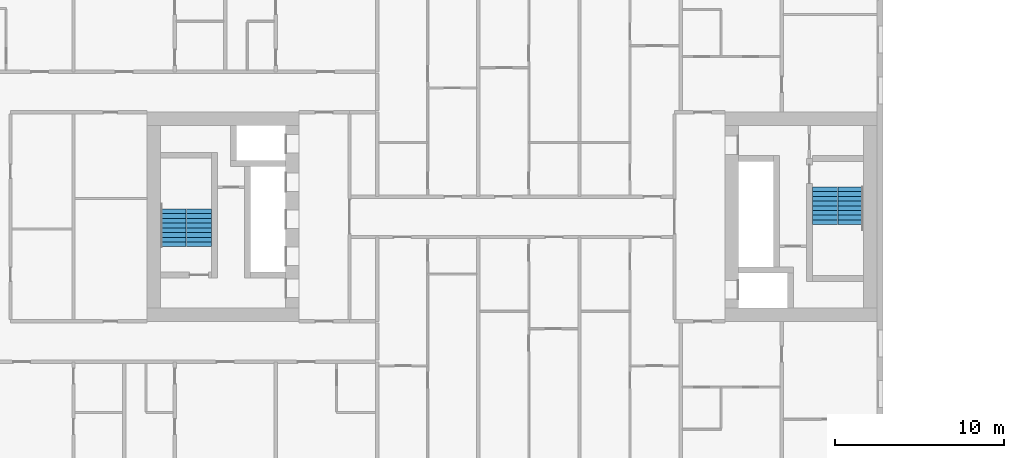
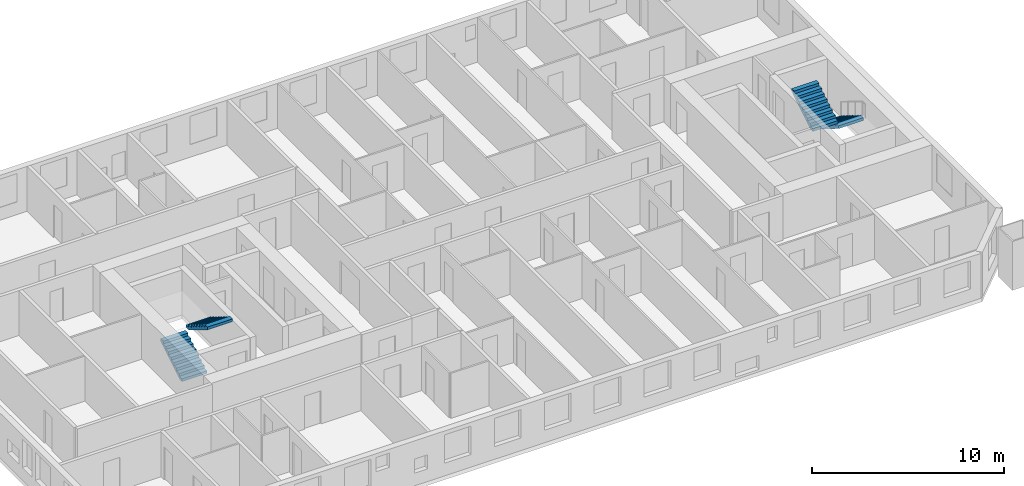
# One storey, part 16 of 17: 4 stair flights, 2 elements without a shape of their own.
"""IFC4 building model written with IfcOpenShell, lengths in metres."""

from ifc_helpers import new_model, si_unit, direction, frame, origin, place, context, subcontext, project, spatial, faceted_brep, material, type_object, element, aggregate, save


model = new_model("IFC4")

# Units and contexts
model_context = context("Model", 3, precision=1e-05, world=origin(), true_north=direction((0.0, 1.0)))
body_context = subcontext(model_context, "Body", "Model", "MODEL_VIEW")
ifc_project = project(units=[si_unit("LENGTHUNIT", "METRE"), si_unit("AREAUNIT", "SQUARE_METRE"), si_unit("VOLUMEUNIT", "CUBIC_METRE"), si_unit("PLANEANGLEUNIT", "RADIAN"), si_unit("MASSUNIT", "GRAM", prefix="KILO")], contexts=[model_context])

# Site, building, storey
site_placement = place(None, origin())
site = spatial("IfcSite", under=ifc_project, at=site_placement, CompositionType="ELEMENT")
building_placement = place(site_placement, origin())
building = spatial("IfcBuilding", under=site, at=building_placement, Name="Tuart Gate Housing", CompositionType="ELEMENT")
storey_placement = place(building_placement, frame((0.0, 0.0, 53.60009765625)))
storey = spatial("IfcBuildingStorey", under=building, at=storey_placement, Name="L14", CompositionType="ELEMENT", Elevation=53.60009765625)

# Stair, stair flights
ifc_material_1 = material(Name="Concrete C40", Category="concrete")
stair_type = type_object("IfcStairType", Name="Core stair 1500", PredefinedType="HALF_TURN_STAIR", material=ifc_material_1)
stair_1_placement = place(storey_placement, origin())
stair_1 = element("IfcStair", 1, at=stair_1_placement, inside=storey, type_object=stair_type, Name="Stair SA1", PredefinedType="HALF_TURN_STAIR")
ifc_material_2 = material(Name="Concrete C40", Category="concrete")
stair_flight_type = type_object("IfcStairFlightType", Name="Stair flight 1500, 9 risers 172 x 280", PredefinedType="STRAIGHT", material=ifc_material_2)
stair_flight_1_placement = place(storey_placement, frame((74.090087890625, 71.77490234375, 0.0), z_axis=(0.0, 0.0, 1.0), x_axis=(0.0, -1.0, 0.0)))
stair_flight_1 = element("IfcStairFlight", 2, at=stair_flight_1_placement, type_object=stair_flight_type, Name="SA1 flight 1", NumberOfRisers=9, NumberOfTreads=8, PredefinedType="STRAIGHT", RiserHeight=0.172222222, TreadLength=0.28, context=body_context, shape_type="Brep", body=[
    faceted_brep([(0.0, 0.75, 0.0), (0.0, 0.75, 0.172119140625), (0.280029296875, 0.75, 0.172119140625), (0.280029296875, 0.75, 0.344482421875), (0.56005859375, 0.75, 0.344482421875), (0.56005859375, 0.75, 0.5166015625), (0.840087890625, 0.75, 0.5166015625), (0.840087890625, 0.75, 0.68896484375), (1.1201171875, 0.75, 0.68896484375), (1.1201171875, 0.75, 0.861083984375), (1.39990234375, 0.75, 0.861083984375), (1.39990234375, 0.75, 1.033447265625), (1.679931640625, 0.75, 1.033447265625), (1.679931640625, 0.75, 1.20556640625), (1.9599609375, 0.75, 1.20556640625), (1.9599609375, 0.75, 1.377685546875), (2.239990234375, 0.75, 1.377685546875), (2.239990234375, 0.75, 1.201904296875), (0.2861328125, 0.75, 0.0), (0.2861328125, -0.75, 0.0), (2.239990234375, -0.75, 1.201904296875), (2.239990234375, -0.75, 1.377685546875), (1.9599609375, -0.75, 1.377685546875), (1.9599609375, -0.75, 1.20556640625), (1.679931640625, -0.75, 1.20556640625), (1.679931640625, -0.75, 1.033447265625), (1.39990234375, -0.75, 1.033447265625), (1.39990234375, -0.75, 0.861083984375), (1.1201171875, -0.75, 0.861083984375), (1.1201171875, -0.75, 0.68896484375), (0.840087890625, -0.75, 0.68896484375), (0.840087890625, -0.75, 0.5166015625), (0.56005859375, -0.75, 0.5166015625), (0.56005859375, -0.75, 0.344482421875), (0.280029296875, -0.75, 0.344482421875), (0.280029296875, -0.75, 0.172119140625), (0.0, -0.75, 0.172119140625), (0.0, -0.75, 0.0), (2.239990234375, 0.0, 1.201904296875), (0.2861328125, 0.0, 0.0), (2.239990234375, 0.0, 1.377685546875), (1.9599609375, 0.0, 1.377685546875), (1.9599609375, 0.0, 1.20556640625), (1.679931640625, 0.0, 1.20556640625), (1.679931640625, 0.0, 1.033447265625), (1.39990234375, 0.0, 1.033447265625), (1.39990234375, 0.0, 0.861083984375), (1.1201171875, 0.0, 0.861083984375), (1.1201171875, 0.0, 0.68896484375), (0.840087890625, 0.0, 0.68896484375), (0.840087890625, 0.0, 0.5166015625), (0.56005859375, 0.0, 0.5166015625), (0.56005859375, 0.0, 0.344482421875), (0.280029296875, 0.0, 0.344482421875), (0.280029296875, 0.0, 0.172119140625), (0.0, 0.0, 0.172119140625), (0.0, 0.0, 0.0)], [[[0, 1, 2, 3, 4, 5, 6, 7, 8, 9, 10, 11, 12, 13, 14, 15, 16, 17, 18]], [[19, 20, 21, 22, 23, 24, 25, 26, 27, 28, 29, 30, 31, 32, 33, 34, 35, 36, 37]], [[18, 17, 38, 39]], [[39, 38, 20, 19]], [[17, 16, 40, 38]], [[38, 40, 21, 20]], [[16, 15, 41, 40]], [[40, 41, 22, 21]], [[15, 14, 42, 41]], [[41, 42, 23, 22]], [[14, 13, 43, 42]], [[42, 43, 24, 23]], [[13, 12, 44, 43]], [[43, 44, 25, 24]], [[12, 11, 45, 44]], [[44, 45, 26, 25]], [[11, 10, 46, 45]], [[45, 46, 27, 26]], [[10, 9, 47, 46]], [[46, 47, 28, 27]], [[9, 8, 48, 47]], [[47, 48, 29, 28]], [[8, 7, 49, 48]], [[48, 49, 30, 29]], [[7, 6, 50, 49]], [[49, 50, 31, 30]], [[6, 5, 51, 50]], [[50, 51, 32, 31]], [[5, 4, 52, 51]], [[51, 52, 33, 32]], [[4, 3, 53, 52]], [[52, 53, 34, 33]], [[3, 2, 54, 53]], [[53, 54, 35, 34]], [[2, 1, 55, 54]], [[54, 55, 36, 35]], [[1, 0, 56, 55]], [[55, 56, 37, 36]], [[0, 18, 39, 56]], [[56, 39, 19, 37]]]),
])
stair_flight_2_placement = place(storey_placement, frame((72.56494140625, 69.534912109375, 1.5498046875), z_axis=(0.0, 0.0, 1.0), x_axis=(0.0, 1.0, 0.0)))
stair_flight_2 = element("IfcStairFlight", 3, at=stair_flight_2_placement, type_object=stair_flight_type, Name="SA1 flight 2", NumberOfRisers=9, NumberOfTreads=8, PredefinedType="STRAIGHT", RiserHeight=0.172222222, TreadLength=0.28, context=body_context, shape_type="Brep", body=[
    faceted_brep([(0.0, 0.75, 0.0), (0.0, 0.75, 0.172119140625), (0.280029296875, 0.75, 0.172119140625), (0.280029296875, 0.75, 0.344482421875), (0.56005859375, 0.75, 0.344482421875), (0.56005859375, 0.75, 0.5166015625), (0.840087890625, 0.75, 0.5166015625), (0.840087890625, 0.75, 0.68896484375), (1.1201171875, 0.75, 0.68896484375), (1.1201171875, 0.75, 0.861083984375), (1.39990234375, 0.75, 0.861083984375), (1.39990234375, 0.75, 1.033447265625), (1.679931640625, 0.75, 1.033447265625), (1.679931640625, 0.75, 1.20556640625), (1.9599609375, 0.75, 1.20556640625), (1.9599609375, 0.75, 1.377685546875), (2.239990234375, 0.75, 1.377685546875), (2.239990234375, 0.75, 1.201904296875), (0.2861328125, 0.75, 0.0), (0.2861328125, -0.75, 0.0), (2.239990234375, -0.75, 1.201904296875), (2.239990234375, -0.75, 1.377685546875), (1.9599609375, -0.75, 1.377685546875), (1.9599609375, -0.75, 1.20556640625), (1.679931640625, -0.75, 1.20556640625), (1.679931640625, -0.75, 1.033447265625), (1.39990234375, -0.75, 1.033447265625), (1.39990234375, -0.75, 0.861083984375), (1.1201171875, -0.75, 0.861083984375), (1.1201171875, -0.75, 0.68896484375), (0.840087890625, -0.75, 0.68896484375), (0.840087890625, -0.75, 0.5166015625), (0.56005859375, -0.75, 0.5166015625), (0.56005859375, -0.75, 0.344482421875), (0.280029296875, -0.75, 0.344482421875), (0.280029296875, -0.75, 0.172119140625), (0.0, -0.75, 0.172119140625), (0.0, -0.75, 0.0), (2.239990234375, 0.0, 1.201904296875), (0.2861328125, 0.0, 0.0), (2.239990234375, 0.0, 1.377685546875), (1.9599609375, 0.0, 1.377685546875), (1.9599609375, 0.0, 1.20556640625), (1.679931640625, 0.0, 1.20556640625), (1.679931640625, 0.0, 1.033447265625), (1.39990234375, 0.0, 1.033447265625), (1.39990234375, 0.0, 0.861083984375), (1.1201171875, 0.0, 0.861083984375), (1.1201171875, 0.0, 0.68896484375), (0.840087890625, 0.0, 0.68896484375), (0.840087890625, 0.0, 0.5166015625), (0.56005859375, 0.0, 0.5166015625), (0.56005859375, 0.0, 0.344482421875), (0.280029296875, 0.0, 0.344482421875), (0.280029296875, 0.0, 0.172119140625), (0.0, 0.0, 0.172119140625), (0.0, 0.0, 0.0)], [[[0, 1, 2, 3, 4, 5, 6, 7, 8, 9, 10, 11, 12, 13, 14, 15, 16, 17, 18]], [[19, 20, 21, 22, 23, 24, 25, 26, 27, 28, 29, 30, 31, 32, 33, 34, 35, 36, 37]], [[18, 17, 38, 39]], [[39, 38, 20, 19]], [[17, 16, 40, 38]], [[38, 40, 21, 20]], [[16, 15, 41, 40]], [[40, 41, 22, 21]], [[15, 14, 42, 41]], [[41, 42, 23, 22]], [[14, 13, 43, 42]], [[42, 43, 24, 23]], [[13, 12, 44, 43]], [[43, 44, 25, 24]], [[12, 11, 45, 44]], [[44, 45, 26, 25]], [[11, 10, 46, 45]], [[45, 46, 27, 26]], [[10, 9, 47, 46]], [[46, 47, 28, 27]], [[9, 8, 48, 47]], [[47, 48, 29, 28]], [[8, 7, 49, 48]], [[48, 49, 30, 29]], [[7, 6, 50, 49]], [[49, 50, 31, 30]], [[6, 5, 51, 50]], [[50, 51, 32, 31]], [[5, 4, 52, 51]], [[51, 52, 33, 32]], [[4, 3, 53, 52]], [[52, 53, 34, 33]], [[3, 2, 54, 53]], [[53, 54, 35, 34]], [[2, 1, 55, 54]], [[54, 55, 36, 35]], [[1, 0, 56, 55]], [[55, 56, 37, 36]], [[0, 18, 39, 56]], [[56, 39, 19, 37]]]),
])
aggregate(stair_1, [stair_flight_1, stair_flight_2])

stair_2_placement = place(storey_placement, origin())
stair_2 = element("IfcStair", 4, at=stair_2_placement, inside=storey, type_object=stair_type, Name="Stair SA2", PredefinedType="HALF_TURN_STAIR")
stair_flight_3_placement = place(storey_placement, frame((33.909912109375, 68.22509765625, 0.0), z_axis=(0.0, 0.0, 1.0), x_axis=(0.0, 1.0, 0.0)))
stair_flight_3 = element("IfcStairFlight", 5, at=stair_flight_3_placement, type_object=stair_flight_type, Name="SA2 flight 1", NumberOfRisers=9, NumberOfTreads=8, PredefinedType="STRAIGHT", RiserHeight=0.172222222, TreadLength=0.28, context=body_context, shape_type="Brep", body=[
    faceted_brep([(0.0, 0.75, 0.0), (0.0, 0.75, 0.172119140625), (0.280029296875, 0.75, 0.172119140625), (0.280029296875, 0.75, 0.344482421875), (0.56005859375, 0.75, 0.344482421875), (0.56005859375, 0.75, 0.5166015625), (0.840087890625, 0.75, 0.5166015625), (0.840087890625, 0.75, 0.68896484375), (1.1201171875, 0.75, 0.68896484375), (1.1201171875, 0.75, 0.861083984375), (1.39990234375, 0.75, 0.861083984375), (1.39990234375, 0.75, 1.033447265625), (1.679931640625, 0.75, 1.033447265625), (1.679931640625, 0.75, 1.20556640625), (1.9599609375, 0.75, 1.20556640625), (1.9599609375, 0.75, 1.377685546875), (2.239990234375, 0.75, 1.377685546875), (2.239990234375, 0.75, 1.201904296875), (0.2861328125, 0.75, 0.0), (0.2861328125, -0.75, 0.0), (2.239990234375, -0.75, 1.201904296875), (2.239990234375, -0.75, 1.377685546875), (1.9599609375, -0.75, 1.377685546875), (1.9599609375, -0.75, 1.20556640625), (1.679931640625, -0.75, 1.20556640625), (1.679931640625, -0.75, 1.033447265625), (1.39990234375, -0.75, 1.033447265625), (1.39990234375, -0.75, 0.861083984375), (1.1201171875, -0.75, 0.861083984375), (1.1201171875, -0.75, 0.68896484375), (0.840087890625, -0.75, 0.68896484375), (0.840087890625, -0.75, 0.5166015625), (0.56005859375, -0.75, 0.5166015625), (0.56005859375, -0.75, 0.344482421875), (0.280029296875, -0.75, 0.344482421875), (0.280029296875, -0.75, 0.172119140625), (0.0, -0.75, 0.172119140625), (0.0, -0.75, 0.0), (2.239990234375, 0.0, 1.201904296875), (0.2861328125, 0.0, 0.0), (2.239990234375, 0.0, 1.377685546875), (1.9599609375, 0.0, 1.377685546875), (1.9599609375, 0.0, 1.20556640625), (1.679931640625, 0.0, 1.20556640625), (1.679931640625, 0.0, 1.033447265625), (1.39990234375, 0.0, 1.033447265625), (1.39990234375, 0.0, 0.861083984375), (1.1201171875, 0.0, 0.861083984375), (1.1201171875, 0.0, 0.68896484375), (0.840087890625, 0.0, 0.68896484375), (0.840087890625, 0.0, 0.5166015625), (0.56005859375, 0.0, 0.5166015625), (0.56005859375, 0.0, 0.344482421875), (0.280029296875, 0.0, 0.344482421875), (0.280029296875, 0.0, 0.172119140625), (0.0, 0.0, 0.172119140625), (0.0, 0.0, 0.0)], [[[0, 1, 2, 3, 4, 5, 6, 7, 8, 9, 10, 11, 12, 13, 14, 15, 16, 17, 18]], [[19, 20, 21, 22, 23, 24, 25, 26, 27, 28, 29, 30, 31, 32, 33, 34, 35, 36, 37]], [[18, 17, 38, 39]], [[39, 38, 20, 19]], [[17, 16, 40, 38]], [[38, 40, 21, 20]], [[16, 15, 41, 40]], [[40, 41, 22, 21]], [[15, 14, 42, 41]], [[41, 42, 23, 22]], [[14, 13, 43, 42]], [[42, 43, 24, 23]], [[13, 12, 44, 43]], [[43, 44, 25, 24]], [[12, 11, 45, 44]], [[44, 45, 26, 25]], [[11, 10, 46, 45]], [[45, 46, 27, 26]], [[10, 9, 47, 46]], [[46, 47, 28, 27]], [[9, 8, 48, 47]], [[47, 48, 29, 28]], [[8, 7, 49, 48]], [[48, 49, 30, 29]], [[7, 6, 50, 49]], [[49, 50, 31, 30]], [[6, 5, 51, 50]], [[50, 51, 32, 31]], [[5, 4, 52, 51]], [[51, 52, 33, 32]], [[4, 3, 53, 52]], [[52, 53, 34, 33]], [[3, 2, 54, 53]], [[53, 54, 35, 34]], [[2, 1, 55, 54]], [[54, 55, 36, 35]], [[1, 0, 56, 55]], [[55, 56, 37, 36]], [[0, 18, 39, 56]], [[56, 39, 19, 37]]]),
])
stair_flight_4_placement = place(storey_placement, frame((35.43505859375, 70.465087890625, 1.5498046875), z_axis=(0.0, 0.0, 1.0), x_axis=(0.0, -1.0, 0.0)))
stair_flight_4 = element("IfcStairFlight", 6, at=stair_flight_4_placement, type_object=stair_flight_type, Name="SA2 flight 2", NumberOfRisers=9, NumberOfTreads=8, PredefinedType="STRAIGHT", RiserHeight=0.172222222, TreadLength=0.28, context=body_context, shape_type="Brep", body=[
    faceted_brep([(0.0, 0.75, 0.0), (0.0, 0.75, 0.172119140625), (0.280029296875, 0.75, 0.172119140625), (0.280029296875, 0.75, 0.344482421875), (0.56005859375, 0.75, 0.344482421875), (0.56005859375, 0.75, 0.5166015625), (0.840087890625, 0.75, 0.5166015625), (0.840087890625, 0.75, 0.68896484375), (1.1201171875, 0.75, 0.68896484375), (1.1201171875, 0.75, 0.861083984375), (1.39990234375, 0.75, 0.861083984375), (1.39990234375, 0.75, 1.033447265625), (1.679931640625, 0.75, 1.033447265625), (1.679931640625, 0.75, 1.20556640625), (1.9599609375, 0.75, 1.20556640625), (1.9599609375, 0.75, 1.377685546875), (2.239990234375, 0.75, 1.377685546875), (2.239990234375, 0.75, 1.201904296875), (0.2861328125, 0.75, 0.0), (0.2861328125, -0.75, 0.0), (2.239990234375, -0.75, 1.201904296875), (2.239990234375, -0.75, 1.377685546875), (1.9599609375, -0.75, 1.377685546875), (1.9599609375, -0.75, 1.20556640625), (1.679931640625, -0.75, 1.20556640625), (1.679931640625, -0.75, 1.033447265625), (1.39990234375, -0.75, 1.033447265625), (1.39990234375, -0.75, 0.861083984375), (1.1201171875, -0.75, 0.861083984375), (1.1201171875, -0.75, 0.68896484375), (0.840087890625, -0.75, 0.68896484375), (0.840087890625, -0.75, 0.5166015625), (0.56005859375, -0.75, 0.5166015625), (0.56005859375, -0.75, 0.344482421875), (0.280029296875, -0.75, 0.344482421875), (0.280029296875, -0.75, 0.172119140625), (0.0, -0.75, 0.172119140625), (0.0, -0.75, 0.0), (2.239990234375, 0.0, 1.201904296875), (0.2861328125, 0.0, 0.0), (2.239990234375, 0.0, 1.377685546875), (1.9599609375, 0.0, 1.377685546875), (1.9599609375, 0.0, 1.20556640625), (1.679931640625, 0.0, 1.20556640625), (1.679931640625, 0.0, 1.033447265625), (1.39990234375, 0.0, 1.033447265625), (1.39990234375, 0.0, 0.861083984375), (1.1201171875, 0.0, 0.861083984375), (1.1201171875, 0.0, 0.68896484375), (0.840087890625, 0.0, 0.68896484375), (0.840087890625, 0.0, 0.5166015625), (0.56005859375, 0.0, 0.5166015625), (0.56005859375, 0.0, 0.344482421875), (0.280029296875, 0.0, 0.344482421875), (0.280029296875, 0.0, 0.172119140625), (0.0, 0.0, 0.172119140625), (0.0, 0.0, 0.0)], [[[0, 1, 2, 3, 4, 5, 6, 7, 8, 9, 10, 11, 12, 13, 14, 15, 16, 17, 18]], [[19, 20, 21, 22, 23, 24, 25, 26, 27, 28, 29, 30, 31, 32, 33, 34, 35, 36, 37]], [[18, 17, 38, 39]], [[39, 38, 20, 19]], [[17, 16, 40, 38]], [[38, 40, 21, 20]], [[16, 15, 41, 40]], [[40, 41, 22, 21]], [[15, 14, 42, 41]], [[41, 42, 23, 22]], [[14, 13, 43, 42]], [[42, 43, 24, 23]], [[13, 12, 44, 43]], [[43, 44, 25, 24]], [[12, 11, 45, 44]], [[44, 45, 26, 25]], [[11, 10, 46, 45]], [[45, 46, 27, 26]], [[10, 9, 47, 46]], [[46, 47, 28, 27]], [[9, 8, 48, 47]], [[47, 48, 29, 28]], [[8, 7, 49, 48]], [[48, 49, 30, 29]], [[7, 6, 50, 49]], [[49, 50, 31, 30]], [[6, 5, 51, 50]], [[50, 51, 32, 31]], [[5, 4, 52, 51]], [[51, 52, 33, 32]], [[4, 3, 53, 52]], [[52, 53, 34, 33]], [[3, 2, 54, 53]], [[53, 54, 35, 34]], [[2, 1, 55, 54]], [[54, 55, 36, 35]], [[1, 0, 56, 55]], [[55, 56, 37, 36]], [[0, 18, 39, 56]], [[56, 39, 19, 37]]]),
])
aggregate(stair_2, [stair_flight_3, stair_flight_4])

save(model, "model.ifc")
